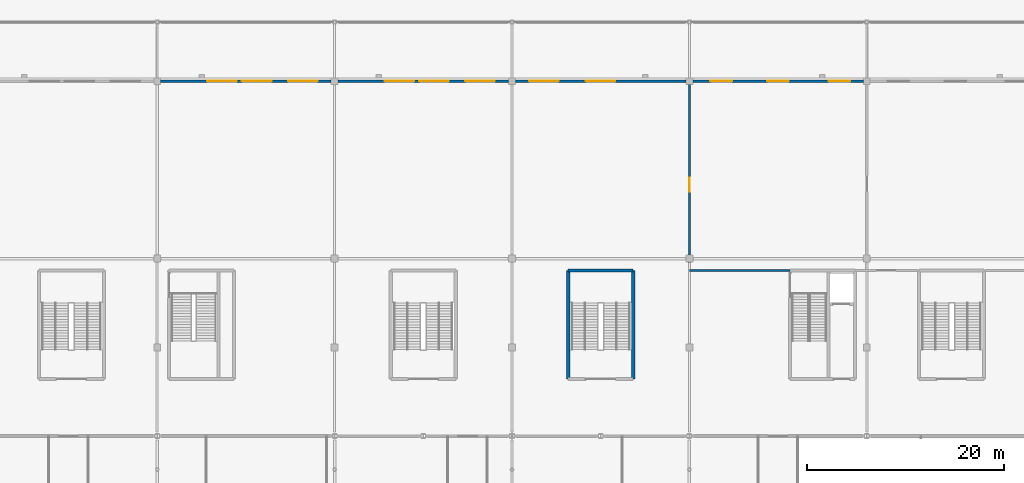
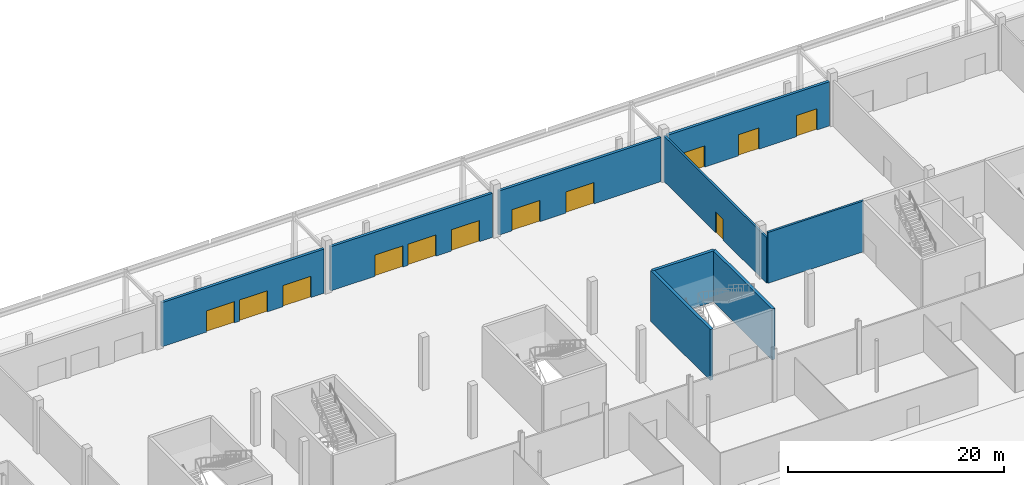
# One storey, part 37 of 84: 12 doors, 9 walls, 12 openings.
"""IFC4 building model written with IfcOpenShell, lengths in metres."""

import ifcopenshell
import ifcopenshell.guid

model = None  # the IFC model being written
_history = None  # IfcOwnerHistory: only IFC2X3 demands one
_inside = {}  # id of a spatial element -> (the spatial element, [elements in it])
_under = {}  # id of a project, library or spatial element -> (it, [spatial elements below it])
_declared = {}  # id of a project -> (the project, [libraries it declares])
_typed = {}  # id of a type object -> (the type object, [elements of that type])
_made_of = {}  # id of a material, layer set ... -> (it, [elements and type objects made of it])


def new_model(schema):
    """Start an empty IFC model of exactly this schema.

    Asked for "IFC4X3", IfcOpenShell would pick the latest addendum, in which some entities
    have other attributes; the version numbers below select the first issue.
    IFC2X3 requires an IfcOwnerHistory on every rooted entity: one is made here for all.
    """
    global model, _history
    if schema == "IFC4X3":
        model = ifcopenshell.file(schema_version=(4, 3, 0, 0))
    else:
        model = ifcopenshell.file(schema=schema)
    _inside.clear()
    _under.clear()
    _declared.clear()
    _typed.clear()
    _made_of.clear()
    _history = None
    if model.schema == "IFC2X3":
        org = make("IfcOrganization", Name="unknown")
        user = make(
            "IfcPersonAndOrganization",
            ThePerson=make("IfcPerson", FamilyName="unknown"),
            TheOrganization=org,
        )
        app = make(
            "IfcApplication",
            ApplicationDeveloper=org,
            Version="unknown",
            ApplicationFullName="unknown",
            ApplicationIdentifier="unknown",
        )
        _history = make(
            "IfcOwnerHistory",
            OwningUser=user,
            OwningApplication=app,
            ChangeAction="ADDED",
            CreationDate=0,
        )
    return model


def make(cls, **values):
    """One entity of the class cls with the attributes given. An attribute that is None is left unset."""
    return model.create_entity(
        cls, **{name: value for name, value in values.items() if value is not None}
    )


def rooted(cls, **values):
    """An entity with a GlobalId (a new one), such as an element, a storey or a relation."""
    return make(cls, GlobalId=ifcopenshell.guid.new(), OwnerHistory=_history, **values)


def si_unit(unit_type, name, prefix=None):
    """IfcSIUnit, for example si_unit("LENGTHUNIT", "METRE", prefix="MILLI")."""
    return make("IfcSIUnit", UnitType=unit_type, Prefix=prefix, Name=name)


def assignment(units):
    """IfcUnitAssignment: the units of a project."""
    return None if units is None else make("IfcUnitAssignment", Units=units)


def point(xyz):
    """IfcCartesianPoint."""
    return None if xyz is None else make("IfcCartesianPoint", Coordinates=xyz)


def direction(xyz):
    """IfcDirection."""
    return None if xyz is None else make("IfcDirection", DirectionRatios=xyz)


def frame(location, z_axis=None, x_axis=None):
    """IfcAxis2Placement3D, a coordinate frame: its origin and axes. An axis left out is left unset."""
    return make(
        "IfcAxis2Placement3D",
        Location=point(location),
        Axis=direction(z_axis),
        RefDirection=direction(x_axis),
    )


def frame_2d(location, x_axis=None):
    """IfcAxis2Placement2D, a coordinate frame in the plane: its origin and x axis."""
    return make(
        "IfcAxis2Placement2D", Location=point(location), RefDirection=direction(x_axis)
    )


def origin():
    """The frame at (0, 0, 0) with its axes left unset."""
    return frame((0.0, 0.0, 0.0))


def place(relative_to, where):
    """IfcLocalPlacement: puts the frame where relative to a parent placement (None: the world)."""
    return make(
        "IfcLocalPlacement", PlacementRelTo=relative_to, RelativePlacement=where
    )


def context(
    kind, dimensions, precision=None, world=None, true_north=None, identifier=None
):
    """IfcGeometricRepresentationContext, for example the 3D "Model" context."""
    return make(
        "IfcGeometricRepresentationContext",
        ContextIdentifier=identifier,
        ContextType=kind,
        CoordinateSpaceDimension=dimensions,
        Precision=precision,
        WorldCoordinateSystem=world,
        TrueNorth=true_north,
    )


def subcontext(parent, identifier, kind, view, scale=None):
    """IfcGeometricRepresentationSubContext, for example "Body" below "Model"."""
    return make(
        "IfcGeometricRepresentationSubContext",
        ContextIdentifier=identifier,
        ContextType=kind,
        ParentContext=parent,
        TargetScale=scale,
        TargetView=view,
    )


def project(units=None, contexts=None):
    """IfcProject with its units and contexts."""
    return rooted(
        "IfcProject",
        Name="project",
        RepresentationContexts=contexts,
        UnitsInContext=assignment(units),
    )


def spatial(cls, under=None, at=None, **own):
    """A site, building, storey or space (cls), placed at a placement, below another one or the project."""
    s = rooted(cls, ObjectPlacement=at, **own)
    if under is not None:
        _under.setdefault(under.id(), (under, []))[1].append(s)
    return s


def profile(cls, at=None, kind="AREA", **sizes):
    """A parametric profile (cls). Its sizes go by their IFC names, for example OverallWidth=200.0."""
    return make(cls, ProfileType=kind, Position=at, **sizes)


def rectangle(**sizes):
    """IfcRectangleProfileDef."""
    return profile("IfcRectangleProfileDef", **sizes)


def extrude(swept, where, along, depth):
    """IfcExtrudedAreaSolid: the profile swept, set in the frame where, extruded along a direction by depth."""
    return make(
        "IfcExtrudedAreaSolid",
        SweptArea=swept,
        Position=where,
        ExtrudedDirection=direction(along),
        Depth=depth,
    )


def shape(context_of_items, identifier, shape_type, items):
    """IfcShapeRepresentation: the items that make up one representation, for example the "Body"."""
    return make(
        "IfcShapeRepresentation",
        ContextOfItems=context_of_items,
        RepresentationIdentifier=identifier,
        RepresentationType=shape_type,
        Items=items,
    )


def material(Name=None, Category=None):
    """IfcMaterial."""
    return make("IfcMaterial", Name=Name, Category=Category)


def layer(
    of_material, thickness, ventilated=None, Name=None, Category=None, Priority=None
):
    """IfcMaterialLayer: one layer of a wall or slab, of a material (None: an air gap)."""
    return make(
        "IfcMaterialLayer",
        Material=of_material,
        LayerThickness=thickness,
        IsVentilated=ventilated,
        Name=Name,
        Category=Category,
        Priority=Priority,
    )


def layer_set(layers, Name=None):
    """IfcMaterialLayerSet."""
    return make("IfcMaterialLayerSet", MaterialLayers=layers, LayerSetName=Name)


def made_of(thing, what):
    """Note that an element or type object is made of a material, layer set ...; save() writes the relation."""
    if what is not None:
        _made_of.setdefault(what.id(), (what, []))[1].append(thing)
    return thing


def type_object(cls, material=None, **own):
    """A type object (cls), such as IfcWallType, which elements share."""
    return made_of(rooted(cls, **own), material)


def element(
    cls,
    number,
    at=None,
    inside=None,
    cuts=None,
    type_object=None,
    material=None,
    context=None,
    identifier="Body",
    shape_type=None,
    held_by="IfcProductDefinitionShape",
    body=None,
    shapes=None,
    **own,
):
    """One element of the class cls, such as IfcWall. Its Tag is "e" and its number.

    at: its placement. inside: the storey or other place that contains it. cuts: it is an
    opening in that element (IfcRelVoidsElement). A single representation is given by context,
    identifier, shape_type and body (its items); several are given by shapes. held_by: the class
    of the entity that holds the representations. save() writes the other relations.
    """
    e = rooted(cls, Tag="e%d" % number, ObjectPlacement=at, **own)
    if body is not None:
        shapes = [shape(context, identifier, shape_type, body)]
    if shapes is not None:
        e.Representation = make(held_by, Representations=shapes)
    if inside is not None:
        _inside.setdefault(inside.id(), (inside, []))[1].append(e)
    if cuts is not None:
        rooted(
            "IfcRelVoidsElement", RelatingBuildingElement=cuts, RelatedOpeningElement=e
        )
    if type_object is not None:
        _typed.setdefault(type_object.id(), (type_object, []))[1].append(e)
    return made_of(e, material)


def fill(opening, filler):
    """IfcRelFillsElement: the door or window that sits in an opening."""
    return rooted(
        "IfcRelFillsElement",
        RelatingOpeningElement=opening,
        RelatedBuildingElement=filler,
    )


def aggregate(whole, parts):
    """IfcRelAggregates: a whole, such as a stair, and the parts it consists of."""
    return rooted("IfcRelAggregates", RelatingObject=whole, RelatedObjects=parts)


def save(model, path):
    """Write the relations noted so far, then the file.

    IfcRelAggregates (storeys below a building ...), IfcRelContainedInSpatialStructure (elements
    in a storey), IfcRelDefinesByType, IfcRelAssociatesMaterial and IfcRelDeclares: one each for
    every whole, place, type object, material and project.
    """
    for whole, parts in _under.values():
        aggregate(whole, parts)
    for where, things in _inside.values():
        rooted(
            "IfcRelContainedInSpatialStructure",
            RelatedElements=things,
            RelatingStructure=where,
        )
    for kind, things in _typed.values():
        rooted("IfcRelDefinesByType", RelatedObjects=things, RelatingType=kind)
    for what, things in _made_of.values():
        rooted("IfcRelAssociatesMaterial", RelatedObjects=things, RelatingMaterial=what)
    for by, libraries in _declared.values():
        rooted("IfcRelDeclares", RelatingContext=by, RelatedDefinitions=libraries)
    model.write(path)


model = new_model("IFC4")

# Units and contexts
model_context = context("Model", 3, precision=1e-05, world=origin(), true_north=direction((0.0, 1.0)))
body_context = subcontext(model_context, "Body", "Model", "MODEL_VIEW")
ifc_project = project(units=[si_unit("LENGTHUNIT", "METRE"), si_unit("AREAUNIT", "SQUARE_METRE"), si_unit("VOLUMEUNIT", "CUBIC_METRE"), si_unit("PLANEANGLEUNIT", "RADIAN"), si_unit("MASSUNIT", "GRAM", prefix="KILO")], contexts=[model_context])

# Site, building, storey
site_placement = place(None, origin())
site = spatial("IfcSite", under=ifc_project, at=site_placement, CompositionType="ELEMENT")
building_placement = place(site_placement, origin())
building = spatial("IfcBuilding", under=site, at=building_placement, Name="Kisiwana Market Hall", CompositionType="ELEMENT")
storey_placement = place(building_placement, origin())
storey = spatial("IfcBuildingStorey", under=building, at=storey_placement, Name="L00", CompositionType="ELEMENT", Elevation=0.0)

# Wall, opening, door
ifc_material_1 = material(Name="Steel S275", Category="steel")
ifc_layer_1 = layer(ifc_material_1, 0.010009765625, Name="Food-grade steel inner skin")
ifc_material_2 = material(Name="PIR insulation")
ifc_layer_2 = layer(ifc_material_2, 0.199951171875, Name="High-density PIR thermal core")
ifc_material_3 = material(Name="Steel S275", Category="steel")
ifc_layer_3 = layer(ifc_material_3, 0.010009765625, Name="Food-grade steel outer skin")
ifc_layer_set_1 = layer_set([ifc_layer_1, ifc_layer_2, ifc_layer_3], Name="WL-COLD-220")
wall_type_1 = type_object("IfcWallType", Name="WL-COLD-220", PredefinedType="PARTITIONING", material=ifc_layer_set_1)
wall_1_placement = place(storey_placement, frame((117.0, 100.800048828125, 0.0), z_axis=(0.0, 0.0, 1.0), x_axis=(0.0, 1.0, 0.0)))
wall_1 = element("IfcWall", 1, at=wall_1_placement, inside=storey, type_object=wall_type_1, Name="Interior partition W-0641", PredefinedType="PARTITIONING", context=body_context, shape_type="SweptSolid", body=[
    extrude(rectangle(XDim=19.054931640625, YDim=0.219970703125, at=frame_2d((9.52734375, 0.0))), origin(), (0.0, 0.0, 1.0), 5.1376953125),
])
opening_1_placement = place(wall_1_placement, frame((8.0, 0.0, 0.0)))
opening_1 = element("IfcOpeningElement", 2, at=opening_1_placement, cuts=wall_1, Name="Opening DR-L00-101", PredefinedType="OPENING", context=body_context, shape_type="SweptSolid", body=[
    extrude(rectangle(XDim=1.39990234375, YDim=2.35009765625, at=frame_2d((0.699951171875, 1.175048828125))), frame((0.0, 0.1220703125, 0.0), z_axis=(0.0, -1.0, 0.0), x_axis=(1.0, 0.0, 0.0)), (0.0, 0.0, 1.0), 0.243896484375),
])
ifc_material_4 = material(Name="Steel S275", Category="steel")
door_type_1 = type_object("IfcDoorType", Name="DR-COLD-FD60-1400", OperationType="SLIDING_TO_LEFT", PredefinedType="DOOR", material=ifc_material_4)
door_1_placement = place(opening_1_placement, origin())
door_1 = element("IfcDoor", 3, at=door_1_placement, inside=storey, type_object=door_type_1, Name="L00 Produce Cold Store West Door", OperationType="SLIDING_TO_LEFT", OverallHeight=2.35009765625, OverallWidth=1.39990234375, PredefinedType="DOOR", context=body_context, shape_type="SweptSolid", body=[
    extrude(rectangle(XDim=1.39990234375, YDim=2.35009765625, at=frame_2d((0.699951171875, 1.175048828125))), frame((0.0, 0.02490234375, 0.0), z_axis=(0.0, -1.0, 0.0), x_axis=(1.0, 0.0, 0.0)), (0.0, 0.0, 1.0), 0.050048828125),
])
fill(opening_1, door_1)

# Walls
wall_2_placement = place(storey_placement, frame((117.0, 100.800048828125, 0.0), z_axis=(0.0, 0.0, 1.0), x_axis=(1.0, 0.0, 0.0)))
element("IfcWall", 4, at=wall_2_placement, inside=storey, type_object=wall_type_1, Name="Interior partition W-0643", PredefinedType="PARTITIONING", context=body_context, shape_type="SweptSolid", body=[
    extrude(rectangle(XDim=10.199951171875, YDim=0.219970703125, at=frame_2d((5.10009765625, 0.0))), origin(), (0.0, 0.0, 1.0), 5.75),
])
ifc_material_5 = material(Name="Concrete C40/50", Category="concrete")
ifc_layer_4 = layer(ifc_material_5, 0.320068359375, Name="Reinforced concrete shaft wall")
ifc_layer_set_2 = layer_set([ifc_layer_4], Name="WL-CORE-320")
wall_type_2 = type_object("IfcWallType", Name="WL-CORE-320", PredefinedType="SHEAR", material=ifc_layer_set_2)
wall_3_placement = place(storey_placement, frame((104.699951171875, 100.800048828125, 0.0), z_axis=(0.0, 0.0, 1.0), x_axis=(1.0, 0.0, 0.0)))
element("IfcWall", 5, at=wall_3_placement, inside=storey, type_object=wall_type_2, Name="Core N5 outer shear wall W-0478", PredefinedType="SHEAR", context=body_context, shape_type="SweptSolid", body=[
    extrude(rectangle(XDim=6.60009765625, YDim=0.320068359375, at=frame_2d((3.300048828125, 0.0))), origin(), (0.0, 0.0, 1.0), 5.75),
])
for number, where, z_axis, x_axis, name in (
    (6, (104.699951171875, 89.800048828125, 0.0), (0.0, 0.0, 1.0), (0.0, 1.0, 0.0), "Core N5 west shear wall W-0479"),
    (7, (111.300048828125, 89.800048828125, 0.0), (0.0, 0.0, 1.0), (0.0, 1.0, 0.0), "Core N5 east shear wall W-0480"),
):
    element("IfcWall", number, at=place(storey_placement, frame(where, z_axis=z_axis, x_axis=x_axis)), inside=storey, type_object=wall_type_2, Name=name, PredefinedType="SHEAR", context=body_context, shape_type="SweptSolid", body=[
        extrude(rectangle(XDim=11.0, YDim=0.320068359375, at=frame_2d((5.5, 0.0))), origin(), (0.0, 0.0, 1.0), 5.75),
    ])

# Wall, openings, doors
ifc_material_6 = material(Name="Masonry blockwork", Category="masonry")
ifc_layer_5 = layer(ifc_material_6, 0.139892578125, Name="Rendered masonry outer leaf")
ifc_material_7 = material(Name="Mineral wool insulation")
ifc_layer_6 = layer(ifc_material_7, 0.074951171875, Name="Mineral wool cavity insulation")
ifc_material_8 = material(Name="Gypsum plasterboard")
ifc_layer_7 = layer(ifc_material_8, 0.074951171875, Name="Calcium silicate inner lining")
ifc_layer_set_3 = layer_set([ifc_layer_5, ifc_layer_6, ifc_layer_7], Name="WL-EXT-MAS-290")
wall_type_3 = type_object("IfcWallType", Name="WL-EXT-MAS-290", PredefinedType="STANDARD", material=ifc_layer_set_3)
wall_4_placement = place(storey_placement, frame((63.342041015625, 120.0, 0.0), z_axis=(0.0, 0.0, 1.0), x_axis=(1.0, 0.0, 0.0)))
wall_4 = element("IfcWall", 8, at=wall_4_placement, inside=storey, type_object=wall_type_3, Name="Exterior wall W-0508", PredefinedType="STANDARD", context=body_context, shape_type="SweptSolid", body=[
    extrude(rectangle(XDim=17.31591796875, YDim=0.2900390625, at=frame_2d((8.657958984375, 0.0))), origin(), (0.0, 0.0, 1.0), 4.98779296875),
])
opening_2_placement = place(wall_4_placement, frame((4.736083984375, 0.0, 0.0)))
opening_2 = element("IfcOpeningElement", 9, at=opening_2_placement, cuts=wall_4, Name="Opening DR-L00-839", PredefinedType="OPENING", context=body_context, shape_type="SweptSolid", body=[
    extrude(rectangle(XDim=3.0, YDim=2.39990234375, at=frame_2d((1.5, 1.199951171875))), frame((0.0, 0.156982421875, 0.0), z_axis=(0.0, -1.0, 0.0), x_axis=(1.0, 0.0, 0.0)), (0.0, 0.0, 1.0), 0.31396484375),
])
opening_3_placement = place(wall_4_placement, frame((8.258056640625, 0.0, 0.0)))
opening_3 = element("IfcOpeningElement", 10, at=opening_3_placement, cuts=wall_4, Name="Opening DR-L00-840", PredefinedType="OPENING", context=body_context, shape_type="SweptSolid", body=[
    extrude(rectangle(XDim=3.0, YDim=2.39990234375, at=frame_2d((1.5, 1.199951171875))), frame((0.0, 0.156982421875, 0.0), z_axis=(0.0, -1.0, 0.0), x_axis=(1.0, 0.0, 0.0)), (0.0, 0.0, 1.0), 0.31396484375),
])
opening_4_placement = place(wall_4_placement, frame((12.929931640625, 0.0, 0.0)))
opening_4 = element("IfcOpeningElement", 11, at=opening_4_placement, cuts=wall_4, Name="Opening DR-L00-841", PredefinedType="OPENING", context=body_context, shape_type="SweptSolid", body=[
    extrude(rectangle(XDim=3.0, YDim=2.39990234375, at=frame_2d((1.5, 1.199951171875))), frame((0.0, 0.156982421875, 0.0), z_axis=(0.0, -1.0, 0.0), x_axis=(1.0, 0.0, 0.0)), (0.0, 0.0, 1.0), 0.31396484375),
])
ifc_material_9 = material(Name="Aluminium alloy 6063-T6", Category="aluminium")
door_type_2 = type_object("IfcDoorType", Name="DR-EXT-EX-3000", OperationType="DOUBLE_DOOR_SINGLE_SWING", PredefinedType="DOOR", material=ifc_material_9)
door_2_placement = place(opening_2_placement, origin())
door_2 = element("IfcDoor", 12, at=door_2_placement, inside=storey, type_object=door_type_2, Name="Ground avenue pedestrian final exit door DR-L00-839", OperationType="DOUBLE_DOOR_SINGLE_SWING", OverallHeight=2.39990234375, OverallWidth=3.0, PredefinedType="DOOR", context=body_context, shape_type="SweptSolid", body=[
    extrude(rectangle(XDim=3.0, YDim=2.39990234375, at=frame_2d((1.5, 1.199951171875))), frame((0.0, 0.02490234375, 0.0), z_axis=(0.0, -1.0, 0.0), x_axis=(1.0, 0.0, 0.0)), (0.0, 0.0, 1.0), 0.050048828125),
])
fill(opening_2, door_2)
door_3_placement = place(opening_3_placement, origin())
door_3 = element("IfcDoor", 13, at=door_3_placement, inside=storey, type_object=door_type_2, Name="Ground avenue pedestrian final exit door DR-L00-840", OperationType="DOUBLE_DOOR_SINGLE_SWING", OverallHeight=2.39990234375, OverallWidth=3.0, PredefinedType="DOOR", context=body_context, shape_type="SweptSolid", body=[
    extrude(rectangle(XDim=3.0, YDim=2.39990234375, at=frame_2d((1.5, 1.199951171875))), frame((0.0, 0.02490234375, 0.0), z_axis=(0.0, -1.0, 0.0), x_axis=(1.0, 0.0, 0.0)), (0.0, 0.0, 1.0), 0.050048828125),
])
fill(opening_3, door_3)
door_4_placement = place(opening_4_placement, origin())
door_4 = element("IfcDoor", 14, at=door_4_placement, inside=storey, type_object=door_type_2, Name="Ground avenue pedestrian final exit door DR-L00-841", OperationType="DOUBLE_DOOR_SINGLE_SWING", OverallHeight=2.39990234375, OverallWidth=3.0, PredefinedType="DOOR", context=body_context, shape_type="SweptSolid", body=[
    extrude(rectangle(XDim=3.0, YDim=2.39990234375, at=frame_2d((1.5, 1.199951171875))), frame((0.0, 0.02490234375, 0.0), z_axis=(0.0, -1.0, 0.0), x_axis=(1.0, 0.0, 0.0)), (0.0, 0.0, 1.0), 0.050048828125),
])
fill(opening_4, door_4)

wall_5_placement = place(storey_placement, frame((81.342041015625, 120.0, 0.0), z_axis=(0.0, 0.0, 1.0), x_axis=(1.0, 0.0, 0.0)))
wall_5 = element("IfcWall", 15, at=wall_5_placement, inside=storey, type_object=wall_type_3, Name="Exterior wall W-0509", PredefinedType="STANDARD", context=body_context, shape_type="SweptSolid", body=[
    extrude(rectangle(XDim=17.31591796875, YDim=0.2900390625, at=frame_2d((8.657958984375, 0.0))), origin(), (0.0, 0.0, 1.0), 4.98779296875),
])
opening_5_placement = place(wall_5_placement, frame((4.736083984375, 0.0, 0.0)))
opening_5 = element("IfcOpeningElement", 16, at=opening_5_placement, cuts=wall_5, Name="Opening DR-L00-842", PredefinedType="OPENING", context=body_context, shape_type="SweptSolid", body=[
    extrude(rectangle(XDim=3.0, YDim=2.39990234375, at=frame_2d((1.5, 1.199951171875))), frame((0.0, 0.156982421875, 0.0), z_axis=(0.0, -1.0, 0.0), x_axis=(1.0, 0.0, 0.0)), (0.0, 0.0, 1.0), 0.31396484375),
])
opening_6_placement = place(wall_5_placement, frame((8.258056640625, 0.0, 0.0)))
opening_6 = element("IfcOpeningElement", 17, at=opening_6_placement, cuts=wall_5, Name="Opening DR-L00-843", PredefinedType="OPENING", context=body_context, shape_type="SweptSolid", body=[
    extrude(rectangle(XDim=3.0, YDim=2.39990234375, at=frame_2d((1.5, 1.199951171875))), frame((0.0, 0.156982421875, 0.0), z_axis=(0.0, -1.0, 0.0), x_axis=(1.0, 0.0, 0.0)), (0.0, 0.0, 1.0), 0.31396484375),
])
opening_7_placement = place(wall_5_placement, frame((12.929931640625, 0.0, 0.0)))
opening_7 = element("IfcOpeningElement", 18, at=opening_7_placement, cuts=wall_5, Name="Opening DR-L00-844", PredefinedType="OPENING", context=body_context, shape_type="SweptSolid", body=[
    extrude(rectangle(XDim=3.0, YDim=2.39990234375, at=frame_2d((1.5, 1.199951171875))), frame((0.0, 0.156982421875, 0.0), z_axis=(0.0, -1.0, 0.0), x_axis=(1.0, 0.0, 0.0)), (0.0, 0.0, 1.0), 0.31396484375),
])
door_5_placement = place(opening_5_placement, origin())
door_5 = element("IfcDoor", 19, at=door_5_placement, inside=storey, type_object=door_type_2, Name="Ground avenue pedestrian final exit door DR-L00-842", OperationType="DOUBLE_DOOR_SINGLE_SWING", OverallHeight=2.39990234375, OverallWidth=3.0, PredefinedType="DOOR", context=body_context, shape_type="SweptSolid", body=[
    extrude(rectangle(XDim=3.0, YDim=2.39990234375, at=frame_2d((1.5, 1.199951171875))), frame((0.0, 0.02490234375, 0.0), z_axis=(0.0, -1.0, 0.0), x_axis=(1.0, 0.0, 0.0)), (0.0, 0.0, 1.0), 0.050048828125),
])
fill(opening_5, door_5)
door_6_placement = place(opening_6_placement, origin())
door_6 = element("IfcDoor", 20, at=door_6_placement, inside=storey, type_object=door_type_2, Name="Ground avenue pedestrian final exit door DR-L00-843", OperationType="DOUBLE_DOOR_SINGLE_SWING", OverallHeight=2.39990234375, OverallWidth=3.0, PredefinedType="DOOR", context=body_context, shape_type="SweptSolid", body=[
    extrude(rectangle(XDim=3.0, YDim=2.39990234375, at=frame_2d((1.5, 1.199951171875))), frame((0.0, 0.02490234375, 0.0), z_axis=(0.0, -1.0, 0.0), x_axis=(1.0, 0.0, 0.0)), (0.0, 0.0, 1.0), 0.050048828125),
])
fill(opening_6, door_6)
door_7_placement = place(opening_7_placement, origin())
door_7 = element("IfcDoor", 21, at=door_7_placement, inside=storey, type_object=door_type_2, Name="Ground avenue pedestrian final exit door DR-L00-844", OperationType="DOUBLE_DOOR_SINGLE_SWING", OverallHeight=2.39990234375, OverallWidth=3.0, PredefinedType="DOOR", context=body_context, shape_type="SweptSolid", body=[
    extrude(rectangle(XDim=3.0, YDim=2.39990234375, at=frame_2d((1.5, 1.199951171875))), frame((0.0, 0.02490234375, 0.0), z_axis=(0.0, -1.0, 0.0), x_axis=(1.0, 0.0, 0.0)), (0.0, 0.0, 1.0), 0.050048828125),
])
fill(opening_7, door_7)

wall_6_placement = place(storey_placement, frame((99.342041015625, 120.0, 0.0), z_axis=(0.0, 0.0, 1.0), x_axis=(1.0, 0.0, 0.0)))
wall_6 = element("IfcWall", 22, at=wall_6_placement, inside=storey, type_object=wall_type_3, Name="Exterior wall W-0510", PredefinedType="STANDARD", context=body_context, shape_type="SweptSolid", body=[
    extrude(rectangle(XDim=17.31591796875, YDim=0.2900390625, at=frame_2d((8.657958984375, 0.0))), origin(), (0.0, 0.0, 1.0), 4.98779296875),
])
opening_8_placement = place(wall_6_placement, frame((1.385986328125, 0.0, 0.0)))
opening_8 = element("IfcOpeningElement", 23, at=opening_8_placement, cuts=wall_6, Name="Opening DR-L00-845", PredefinedType="OPENING", context=body_context, shape_type="SweptSolid", body=[
    extrude(rectangle(XDim=3.0, YDim=2.39990234375, at=frame_2d((1.5, 1.199951171875))), frame((0.0, 0.156982421875, 0.0), z_axis=(0.0, -1.0, 0.0), x_axis=(1.0, 0.0, 0.0)), (0.0, 0.0, 1.0), 0.31396484375),
])
opening_9_placement = place(wall_6_placement, frame((7.157958984375, 0.0, 0.0)))
opening_9 = element("IfcOpeningElement", 24, at=opening_9_placement, cuts=wall_6, Name="Opening DR-L00-846", PredefinedType="OPENING", context=body_context, shape_type="SweptSolid", body=[
    extrude(rectangle(XDim=3.0, YDim=2.39990234375, at=frame_2d((1.5, 1.199951171875))), frame((0.0, 0.156982421875, 0.0), z_axis=(0.0, -1.0, 0.0), x_axis=(1.0, 0.0, 0.0)), (0.0, 0.0, 1.0), 0.31396484375),
])
door_8_placement = place(opening_8_placement, origin())
door_8 = element("IfcDoor", 25, at=door_8_placement, inside=storey, type_object=door_type_2, Name="Ground avenue pedestrian final exit door DR-L00-845", OperationType="DOUBLE_DOOR_SINGLE_SWING", OverallHeight=2.39990234375, OverallWidth=3.0, PredefinedType="DOOR", context=body_context, shape_type="SweptSolid", body=[
    extrude(rectangle(XDim=3.0, YDim=2.39990234375, at=frame_2d((1.5, 1.199951171875))), frame((0.0, 0.02490234375, 0.0), z_axis=(0.0, -1.0, 0.0), x_axis=(1.0, 0.0, 0.0)), (0.0, 0.0, 1.0), 0.050048828125),
])
fill(opening_8, door_8)
door_9_placement = place(opening_9_placement, origin())
door_9 = element("IfcDoor", 26, at=door_9_placement, inside=storey, type_object=door_type_2, Name="Ground avenue pedestrian final exit door DR-L00-846", OperationType="DOUBLE_DOOR_SINGLE_SWING", OverallHeight=2.39990234375, OverallWidth=3.0, PredefinedType="DOOR", context=body_context, shape_type="SweptSolid", body=[
    extrude(rectangle(XDim=3.0, YDim=2.39990234375, at=frame_2d((1.5, 1.199951171875))), frame((0.0, 0.02490234375, 0.0), z_axis=(0.0, -1.0, 0.0), x_axis=(1.0, 0.0, 0.0)), (0.0, 0.0, 1.0), 0.050048828125),
])
fill(opening_9, door_9)

wall_7_placement = place(storey_placement, frame((117.342041015625, 120.0, 0.0), z_axis=(0.0, 0.0, 1.0), x_axis=(1.0, 0.0, 0.0)))
wall_7 = element("IfcWall", 27, at=wall_7_placement, inside=storey, type_object=wall_type_3, Name="Exterior wall W-0511", PredefinedType="STANDARD", context=body_context, shape_type="SweptSolid", body=[
    extrude(rectangle(XDim=17.31591796875, YDim=0.2900390625, at=frame_2d((8.657958984375, 0.0))), origin(), (0.0, 0.0, 1.0), 4.98779296875),
])
opening_10_placement = place(wall_7_placement, frame((1.785888671875, 0.0, 0.0)))
opening_10 = element("IfcOpeningElement", 28, at=opening_10_placement, cuts=wall_7, Name="Opening DR-L00-847", PredefinedType="OPENING", context=body_context, shape_type="SweptSolid", body=[
    extrude(rectangle(XDim=2.199951171875, YDim=2.39990234375, at=frame_2d((1.10009765625, 1.199951171875))), frame((0.0, 0.156982421875, 0.0), z_axis=(0.0, -1.0, 0.0), x_axis=(1.0, 0.0, 0.0)), (0.0, 0.0, 1.0), 0.31396484375),
])
opening_11_placement = place(wall_7_placement, frame((7.55810546875, 0.0, 0.0)))
opening_11 = element("IfcOpeningElement", 29, at=opening_11_placement, cuts=wall_7, Name="Opening DR-L00-848", PredefinedType="OPENING", context=body_context, shape_type="SweptSolid", body=[
    extrude(rectangle(XDim=2.199951171875, YDim=2.39990234375, at=frame_2d((1.10009765625, 1.199951171875))), frame((0.0, 0.156982421875, 0.0), z_axis=(0.0, -1.0, 0.0), x_axis=(1.0, 0.0, 0.0)), (0.0, 0.0, 1.0), 0.31396484375),
])
opening_12_placement = place(wall_7_placement, frame((13.780029296875, 0.0, 0.0)))
opening_12 = element("IfcOpeningElement", 30, at=opening_12_placement, cuts=wall_7, Name="Opening DR-L00-849", PredefinedType="OPENING", context=body_context, shape_type="SweptSolid", body=[
    extrude(rectangle(XDim=2.199951171875, YDim=2.39990234375, at=frame_2d((1.10009765625, 1.199951171875))), frame((0.0, 0.156982421875, 0.0), z_axis=(0.0, -1.0, 0.0), x_axis=(1.0, 0.0, 0.0)), (0.0, 0.0, 1.0), 0.31396484375),
])
ifc_material_10 = material(Name="Aluminium alloy 6063-T6", Category="aluminium")
door_type_3 = type_object("IfcDoorType", Name="DR-EXT-EX-2200", OperationType="DOUBLE_DOOR_SINGLE_SWING", PredefinedType="DOOR", material=ifc_material_10)
door_10_placement = place(opening_10_placement, origin())
door_10 = element("IfcDoor", 31, at=door_10_placement, inside=storey, type_object=door_type_3, Name="Ground avenue pedestrian final exit door DR-L00-847", OperationType="DOUBLE_DOOR_SINGLE_SWING", OverallHeight=2.39990234375, OverallWidth=2.199951171875, PredefinedType="DOOR", context=body_context, shape_type="SweptSolid", body=[
    extrude(rectangle(XDim=2.199951171875, YDim=2.39990234375, at=frame_2d((1.10009765625, 1.199951171875))), frame((0.0, 0.02490234375, 0.0), z_axis=(0.0, -1.0, 0.0), x_axis=(1.0, 0.0, 0.0)), (0.0, 0.0, 1.0), 0.050048828125),
])
fill(opening_10, door_10)
door_11_placement = place(opening_11_placement, origin())
door_11 = element("IfcDoor", 32, at=door_11_placement, inside=storey, type_object=door_type_3, Name="Ground avenue pedestrian final exit door DR-L00-848", OperationType="DOUBLE_DOOR_SINGLE_SWING", OverallHeight=2.39990234375, OverallWidth=2.199951171875, PredefinedType="DOOR", context=body_context, shape_type="SweptSolid", body=[
    extrude(rectangle(XDim=2.199951171875, YDim=2.39990234375, at=frame_2d((1.10009765625, 1.199951171875))), frame((0.0, 0.02490234375, 0.0), z_axis=(0.0, -1.0, 0.0), x_axis=(1.0, 0.0, 0.0)), (0.0, 0.0, 1.0), 0.050048828125),
])
fill(opening_11, door_11)
door_12_placement = place(opening_12_placement, origin())
door_12 = element("IfcDoor", 33, at=door_12_placement, inside=storey, type_object=door_type_3, Name="Ground avenue pedestrian final exit door DR-L00-849", OperationType="DOUBLE_DOOR_SINGLE_SWING", OverallHeight=2.39990234375, OverallWidth=2.199951171875, PredefinedType="DOOR", context=body_context, shape_type="SweptSolid", body=[
    extrude(rectangle(XDim=2.199951171875, YDim=2.39990234375, at=frame_2d((1.10009765625, 1.199951171875))), frame((0.0, 0.02490234375, 0.0), z_axis=(0.0, -1.0, 0.0), x_axis=(1.0, 0.0, 0.0)), (0.0, 0.0, 1.0), 0.050048828125),
])
fill(opening_12, door_12)

save(model, "model.ifc")
